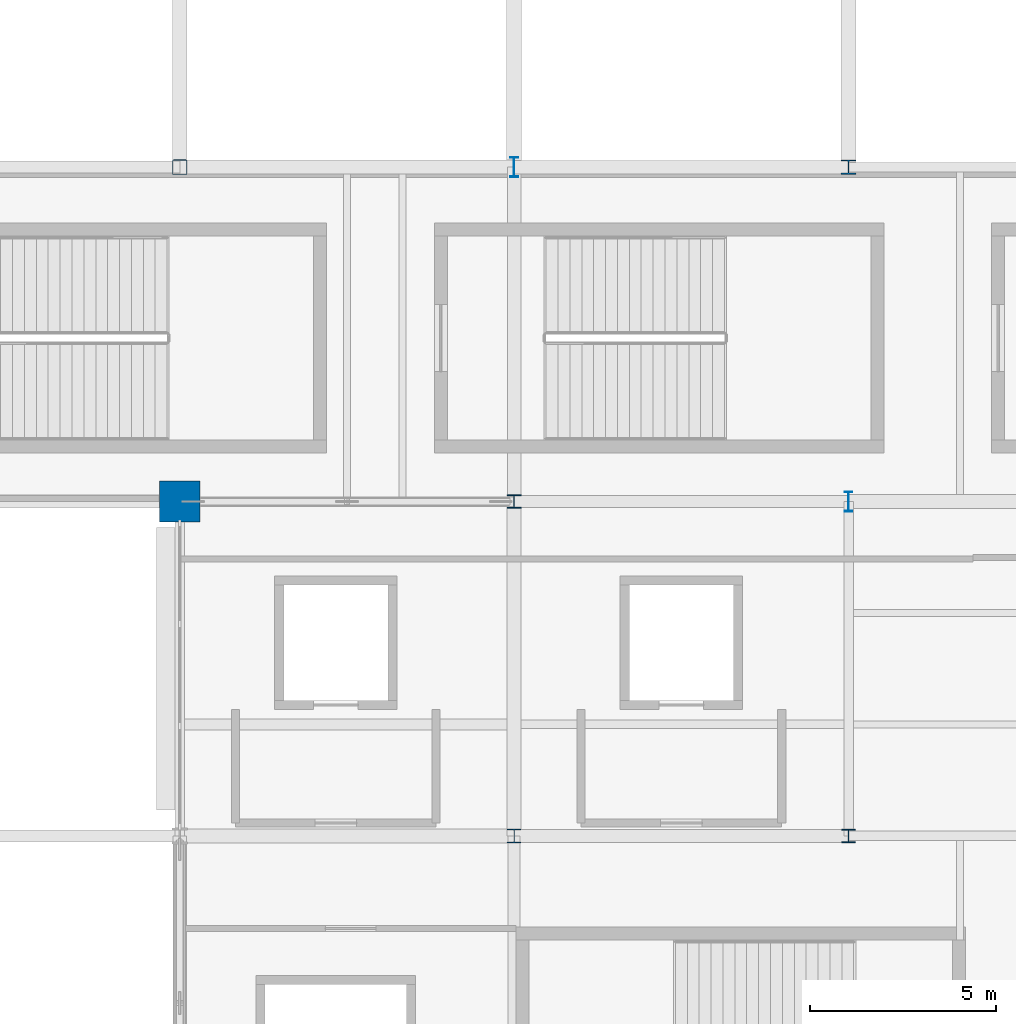
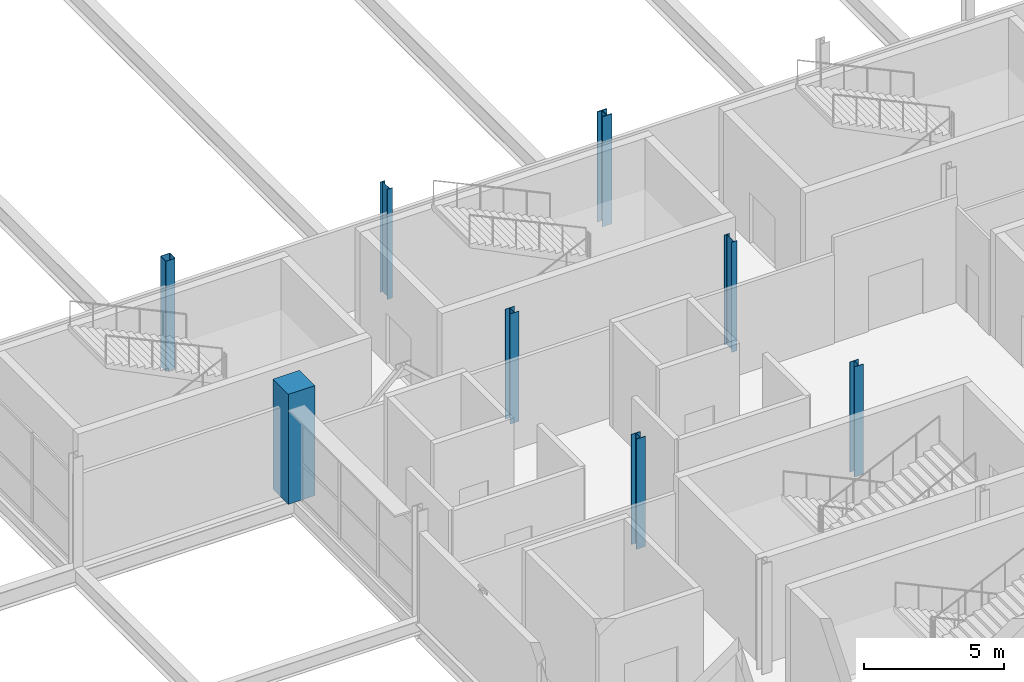
# One storey, part 15 of 224: 8 columns.
"""IFC4 building model written with IfcOpenShell, lengths in metres."""

from ifc_helpers import new_model, si_unit, direction, frame, origin, origin_2d, place, context, subcontext, project, spatial, rectangle, hollow_rectangle, i_section, extrude, material, material_profile, profile_set, type_object, element, save


model = new_model("IFC4")

# Units and contexts
model_context = context("Model", 3, precision=1e-05, world=origin(), true_north=direction((0.0, 1.0)))
body_context = subcontext(model_context, "Body", "Model", "MODEL_VIEW")
ifc_project = project(units=[si_unit("LENGTHUNIT", "METRE"), si_unit("AREAUNIT", "SQUARE_METRE"), si_unit("VOLUMEUNIT", "CUBIC_METRE"), si_unit("PLANEANGLEUNIT", "RADIAN"), si_unit("MASSUNIT", "GRAM", prefix="KILO")], contexts=[model_context])

# Site, building, storey
site_placement = place(None, origin())
site = spatial("IfcSite", under=ifc_project, at=site_placement, CompositionType="ELEMENT")
building_placement = place(site_placement, origin())
building = spatial("IfcBuilding", under=site, at=building_placement, Name="Qamarlyn Nura Convention Centre", CompositionType="ELEMENT")
storey_placement = place(building_placement, frame((0.0, 0.0, 10.800048828125)))
storey = spatial("IfcBuildingStorey", under=building, at=storey_placement, Name="L02", CompositionType="ELEMENT", Elevation=10.800048828125)

# Columns
ifc_material_1 = material(Name="Steel ASTM A500 Grade C", Category="steel")
ifc_material_profile_1 = material_profile(ifc_material_1, hollow_rectangle(XDim=0.39990234375, YDim=0.39990234375, WallThickness=0.01611328125, InnerFilletRadius=0.01611328125, OuterFilletRadius=0.031982421875, at=origin_2d()), Name="HSS400X400X16")
ifc_profile_set_1 = profile_set([ifc_material_profile_1], Name="Steel ASTM A500 Grade C")
column_type_1 = type_object("IfcColumnType", Name="COL-HSS-1", PredefinedType="COLUMN", material=ifc_profile_set_1)
column_1_placement = place(storey_placement, frame((153.0, 90.0, 0.0), z_axis=(0.0, 0.0, 1.0), x_axis=(1.0, 0.0, 0.0)))
element("IfcColumn", 1, at=column_1_placement, inside=storey, type_object=column_type_1, Name="L02 column 13/L", PredefinedType="COLUMN", context=body_context, shape_type="SweptSolid", body=[
    extrude(hollow_rectangle(XDim=0.39990234375, YDim=0.39990234375, WallThickness=0.01611328125, InnerFilletRadius=0.01611328125, OuterFilletRadius=0.031982421875, at=origin_2d()), origin(), (0.0, 0.0, 1.0), 4.800048828125),
])
ifc_material_2 = material(Name="Concrete C50/60", Category="concrete")
ifc_material_profile_2 = material_profile(ifc_material_2, rectangle(XDim=1.10009765625, YDim=1.10009765625, at=origin_2d()), Name="RC 1100x1100")
ifc_profile_set_2 = profile_set([ifc_material_profile_2], Name="Concrete C50/60")
column_type_2 = type_object("IfcColumnType", Name="COL-MEGA-2", PredefinedType="COLUMN", material=ifc_profile_set_2)
column_2_placement = place(storey_placement, frame((153.0, 81.0, 0.0), z_axis=(0.0, 0.0, 1.0), x_axis=(1.0, 0.0, 0.0)))
element("IfcColumn", 2, at=column_2_placement, inside=storey, type_object=column_type_2, Name="L02 column 13/K", PredefinedType="COLUMN", context=body_context, shape_type="SweptSolid", body=[
    extrude(rectangle(XDim=1.10009765625, YDim=1.10009765625, at=origin_2d()), origin(), (0.0, 0.0, 1.0), 4.800048828125),
])
ifc_material_3 = material(Name="Steel ASTM A992", Category="steel")
ifc_material_profile_3 = material_profile(ifc_material_3, i_section(OverallWidth=0.39892578125, OverallDepth=0.39306640625, WebThickness=0.022705078125, FlangeThickness=0.03662109375, FilletRadius=0.01806640625, at=origin_2d()), Name="W360X287")
ifc_profile_set_3 = profile_set([ifc_material_profile_3], Name="Steel ASTM A992")
column_type_3 = type_object("IfcColumnType", Name="COL-WING-1", PredefinedType="COLUMN", material=ifc_profile_set_3)
column_3_placement = place(storey_placement, frame((171.0, 90.0, 0.0), z_axis=(0.0, 0.0, 1.0), x_axis=(1.0, 0.0, 0.0)))
element("IfcColumn", 3, at=column_3_placement, inside=storey, type_object=column_type_3, Name="L02 column 15/L", PredefinedType="COLUMN", context=body_context, shape_type="SweptSolid", body=[
    extrude(i_section(OverallWidth=0.39892578125, OverallDepth=0.39306640625, WebThickness=0.022705078125, FlangeThickness=0.03662109375, FilletRadius=0.01806640625, at=origin_2d()), origin(), (0.0, 0.0, 1.0), 4.800048828125),
])
ifc_material_profile_4 = material_profile(ifc_material_3, i_section(OverallWidth=0.3740234375, OverallDepth=0.3720703125, WebThickness=0.016357421875, FlangeThickness=0.026123046875, FilletRadius=0.01611328125, at=origin_2d()), Name="W360X196")
ifc_profile_set_4 = profile_set([ifc_material_profile_4], Name="Steel ASTM A992")
column_type_4 = type_object("IfcColumnType", Name="COL-WING-2", PredefinedType="COLUMN", material=ifc_profile_set_4)
column_4_placement = place(storey_placement, frame((162.0, 72.0, 0.0), z_axis=(0.0, 0.0, 1.0), x_axis=(1.0, 0.0, 0.0)))
element("IfcColumn", 4, at=column_4_placement, inside=storey, type_object=column_type_4, Name="L02 column 14/J", PredefinedType="COLUMN", context=body_context, shape_type="SweptSolid", body=[
    extrude(i_section(OverallWidth=0.3740234375, OverallDepth=0.3720703125, WebThickness=0.016357421875, FlangeThickness=0.026123046875, FilletRadius=0.01611328125, at=origin_2d()), origin(), (0.0, 0.0, 1.0), 4.800048828125),
])
ifc_material_profile_5 = material_profile(ifc_material_3, i_section(OverallWidth=0.368896484375, OverallDepth=0.35595703125, WebThickness=0.01123046875, FlangeThickness=0.01806640625, FilletRadius=0.014892578125, at=origin_2d()), Name="W360X134")
ifc_profile_set_5 = profile_set([ifc_material_profile_5], Name="Steel ASTM A992")
column_type_5 = type_object("IfcColumnType", Name="COL-WING-3", PredefinedType="COLUMN", material=ifc_profile_set_5)
for number, where, z_axis, x_axis, name in (
    (5, (162.0, 81.0, 0.0), (0.0, 0.0, 1.0), (1.0, 0.0, 0.0), "L02 column 14/K"),
    (6, (171.0, 72.0, 0.0), (0.0, 0.0, 1.0), (1.0, 0.0, 0.0), "L02 column 15/J"),
):
    element("IfcColumn", number, at=place(storey_placement, frame(where, z_axis=z_axis, x_axis=x_axis)), inside=storey, type_object=column_type_5, Name=name, PredefinedType="COLUMN", context=body_context, shape_type="SweptSolid", body=[
        extrude(i_section(OverallWidth=0.368896484375, OverallDepth=0.35595703125, WebThickness=0.01123046875, FlangeThickness=0.01806640625, FilletRadius=0.014892578125, at=origin_2d()), origin(), (0.0, 0.0, 1.0), 4.800048828125),
    ])
ifc_material_profile_6 = material_profile(ifc_material_3, i_section(OverallWidth=0.2109375, OverallDepth=0.5390625, WebThickness=0.01171875, FlangeThickness=0.018798828125, FilletRadius=0.013916015625, at=origin_2d()), Name="W530X109")
ifc_profile_set_6 = profile_set([ifc_material_profile_6], Name="Steel ASTM A992")
column_type_6 = type_object("IfcColumnType", Name="COL-WING-7", PredefinedType="COLUMN", material=ifc_profile_set_6)
for number, where, z_axis, x_axis, name in (
    (7, (162.0, 90.0, 0.0), (0.0, 0.0, 1.0), (1.0, 0.0, 0.0), "L02 column 14/L"),
    (8, (171.0, 81.0, 0.0), (0.0, 0.0, 1.0), (1.0, 0.0, 0.0), "L02 column 15/K"),
):
    element("IfcColumn", number, at=place(storey_placement, frame(where, z_axis=z_axis, x_axis=x_axis)), inside=storey, type_object=column_type_6, Name=name, PredefinedType="COLUMN", context=body_context, shape_type="SweptSolid", body=[
        extrude(i_section(OverallWidth=0.2109375, OverallDepth=0.5390625, WebThickness=0.01171875, FlangeThickness=0.018798828125, FilletRadius=0.013916015625, at=origin_2d()), origin(), (0.0, 0.0, 1.0), 4.800048828125),
    ])

save(model, "model.ifc")
